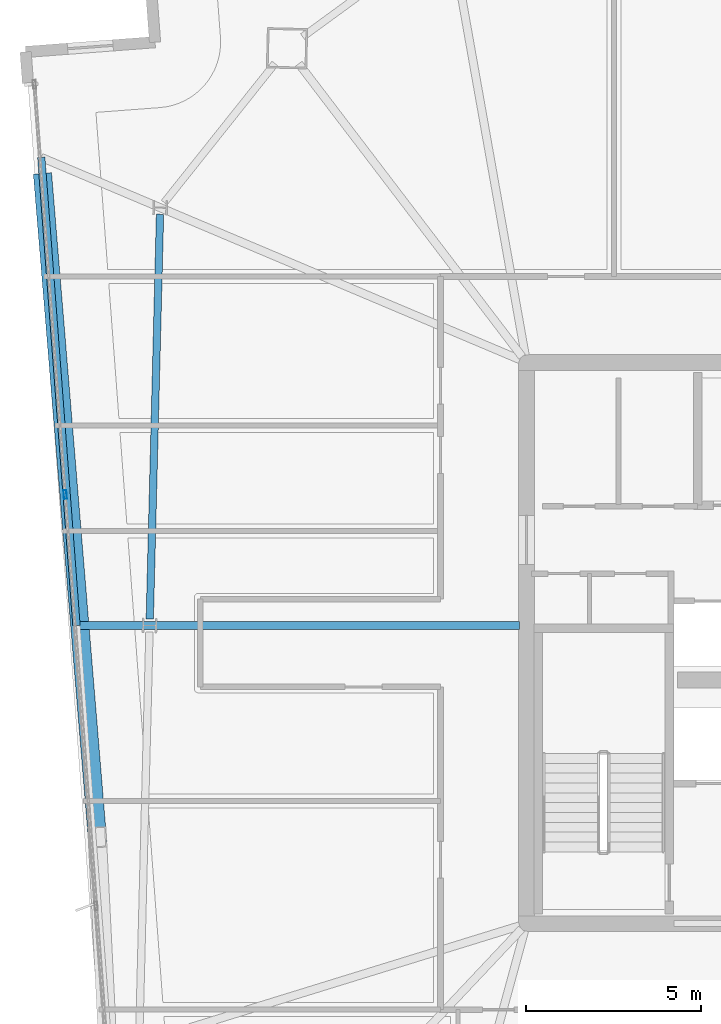
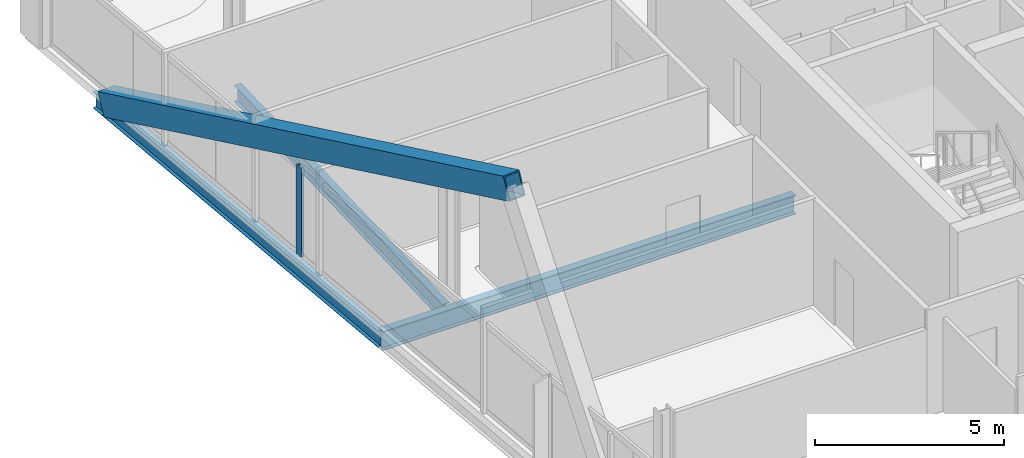
# One storey, part 7 of 23: 3 beams, 2 members, 1 element without a shape of its own.
"""IFC4 building model written with IfcOpenShell, lengths in metres."""

from ifc_helpers import new_model, si_unit, direction, frame, origin, origin_2d, place, context, subcontext, project, spatial, hollow_rectangle, i_section, extrude, material, material_profile, profile_set, type_object, element, aggregate, save


model = new_model("IFC4")

# Units and contexts
model_context = context("Model", 3, precision=1e-05, world=origin(), true_north=direction((0.0, 1.0)))
body_context = subcontext(model_context, "Body", "Model", "MODEL_VIEW")
ifc_project = project(units=[si_unit("LENGTHUNIT", "METRE"), si_unit("AREAUNIT", "SQUARE_METRE"), si_unit("VOLUMEUNIT", "CUBIC_METRE"), si_unit("PLANEANGLEUNIT", "RADIAN"), si_unit("MASSUNIT", "GRAM", prefix="KILO")], contexts=[model_context])

# Site, building, storey
site_placement = place(None, origin())
site = spatial("IfcSite", under=ifc_project, at=site_placement, CompositionType="ELEMENT")
building_placement = place(site_placement, origin())
building = spatial("IfcBuilding", under=site, at=building_placement, Name="Haldenkirk Collegiate Tower", CompositionType="ELEMENT")
storey_placement = place(building_placement, frame((0.0, 0.0, 343.949951171875)))
storey = spatial("IfcBuildingStorey", under=building, at=storey_placement, Name="L87", CompositionType="ELEMENT", Elevation=343.949951171875)

# Beams
ifc_material_1 = material(Name="Steel ASTM A992 Grade 50", Category="steel")
ifc_material_profile_1 = material_profile(ifc_material_1, i_section(OverallWidth=0.22998046875, OverallDepth=0.616943359375, WebThickness=0.01318359375, FlangeThickness=0.022216796875, at=origin_2d()), Name="W24X94")
ifc_profile_set_1 = profile_set([ifc_material_profile_1], Name="Steel ASTM A992 Grade 50")
beam_type_1 = type_object("IfcBeamType", Name="BM-GIRDER-W24X94", PredefinedType="BEAM", material=ifc_profile_set_1)
beam_1_placement = place(storey_placement, frame((14.1708984375, 26.499755859375, -0.568359375), z_axis=(1.0, 0.0, 0.0), x_axis=(0.0, 1.0, 0.0)))
element("IfcBeam", 1, at=beam_1_placement, inside=storey, type_object=beam_type_1, Name="L87 primary floor girder 12", PredefinedType="BEAM", context=body_context, shape_type="SweptSolid", body=[
    extrude(i_section(OverallWidth=0.22998046875, OverallDepth=0.616943359375, WebThickness=0.01318359375, FlangeThickness=0.022216796875, at=origin_2d()), origin(), (0.0, 0.0, 1.0), 12.6240234375),
])
ifc_material_profile_2 = material_profile(ifc_material_1, i_section(OverallWidth=0.2099609375, OverallDepth=0.537109375, WebThickness=0.010986328125, FlangeThickness=0.017333984375, at=origin_2d()), Name="W21X68")
ifc_profile_set_2 = profile_set([ifc_material_profile_2], Name="Steel ASTM A992 Grade 50")
beam_type_2 = type_object("IfcBeamType", Name="BM-SPANDREL-W21X68", PredefinedType="SPANDREL", material=ifc_profile_set_2)
beam_2_placement = place(storey_placement, frame((16.552978515625, 38.22412109375, -0.528564453125), z_axis=(-0.025302458902, -0.999679841536, 0.0), x_axis=(0.999679841536, -0.025302458902, 0.0)))
element("IfcBeam", 2, at=beam_2_placement, inside=storey, type_object=beam_type_2, Name="L87 perimeter spandrel beam 10", PredefinedType="SPANDREL", context=body_context, shape_type="SweptSolid", body=[
    extrude(i_section(OverallWidth=0.2099609375, OverallDepth=0.537109375, WebThickness=0.010986328125, FlangeThickness=0.017333984375, at=origin_2d()), origin(), (0.0, 0.0, 1.0), 11.5400390625),
])
beam_3_placement = place(storey_placement, frame((13.167724609375, 39.84423828125, -0.528564453125), z_axis=(0.07496365411, -0.997186266734, 0.0), x_axis=(0.997186266734, 0.07496365411, 0.0)))
element("IfcBeam", 3, at=beam_3_placement, inside=storey, type_object=beam_type_2, Name="L87 outer facade edge beam 3A", PredefinedType="SPANDREL", context=body_context, shape_type="SweptSolid", body=[
    extrude(i_section(OverallWidth=0.2099609375, OverallDepth=0.537109375, WebThickness=0.010986328125, FlangeThickness=0.017333984375, at=origin_2d()), origin(), (0.0, 0.0, 1.0), 13.382080078125),
])

# Curtain wall, member
ifc_material_2 = material(Name="Anodised architectural bronze aluminium", Category="aluminium")
curtain_wall_type = type_object("IfcCurtainWallType", Name="CW-SYS1B-CONVEX-HI", PredefinedType="USERDEFINED", material=ifc_material_2)
curtain_wall_placement = place(storey_placement, origin())
curtain_wall = element("IfcCurtainWall", 4, at=curtain_wall_placement, inside=storey, type_object=curtain_wall_type, Name="L87 Upper tower high-wind convex bronze unitised curtain wall", ObjectType="UNITISED CURTAIN WALL", PredefinedType="USERDEFINED")
ifc_material_profile_3 = material_profile(ifc_material_2, hollow_rectangle(XDim=0.0849609375, YDim=0.25, WallThickness=0.0048828125, at=origin_2d()), Name="CW-MUL-1B")
ifc_profile_set_3 = profile_set([ifc_material_profile_3], Name="Anodised architectural bronze aluminium")
member_type_1 = type_object("IfcMemberType", Name="CW-MUL-1B", PredefinedType="MULLION", material=ifc_profile_set_3)
member_1_placement = place(storey_placement, frame((13.85009765625, 30.234375, 0.0), z_axis=(0.0, 0.0, 1.0), x_axis=(-0.997185231822, -0.074977419512, 0.0)))
member_1 = element("IfcMember", 5, at=member_1_placement, type_object=member_type_1, Name="CW-1B mullion 3", PredefinedType="MULLION", context=body_context, shape_type="SweptSolid", body=[
    extrude(hollow_rectangle(XDim=0.0849609375, YDim=0.25, WallThickness=0.0048828125, at=origin_2d()), origin(), (0.0, 0.0, 1.0), 2.887939453125),
])
aggregate(curtain_wall, [member_1])

# Member
ifc_material_3 = material(Name="Steel ASTM A572 Grade 50", Category="steel")
ifc_material_profile_4 = material_profile(ifc_material_3, hollow_rectangle(XDim=0.52001953125, YDim=0.719970703125, WallThickness=0.035888671875, at=origin_2d()), Name="BOX720X520X36")
ifc_profile_set_4 = profile_set([ifc_material_profile_4], Name="Steel ASTM A572 Grade 50")
member_type_2 = type_object("IfcMemberType", Name="MBR-MEGABRACE-BOX720X520X36", PredefinedType="BRACE", material=ifc_profile_set_4)
member_2_placement = place(storey_placement, frame((13.212646484375, 39.24609375, -0.27001953125), z_axis=(0.075680879429, -0.915406592566, 0.395351963161), x_axis=(0.996599874983, 0.082393502067, 0.0)))
element("IfcMember", 6, at=member_2_placement, inside=storey, type_object=member_type_2, Name="Perimeter Mega Brace Z6 L87-L88 NL", PredefinedType="BRACE", context=body_context, shape_type="SweptSolid", body=[
    extrude(hollow_rectangle(XDim=0.52001953125, YDim=0.719970703125, WallThickness=0.035888671875, at=origin_2d()), origin(), (0.0, 0.0, 1.0), 20.513671875),
])

save(model, "model.ifc")
